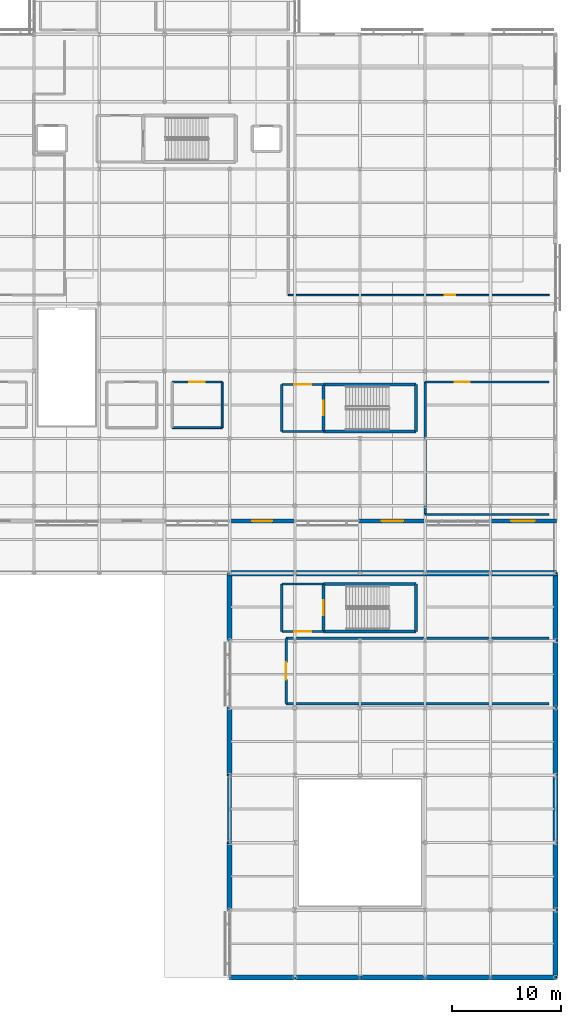
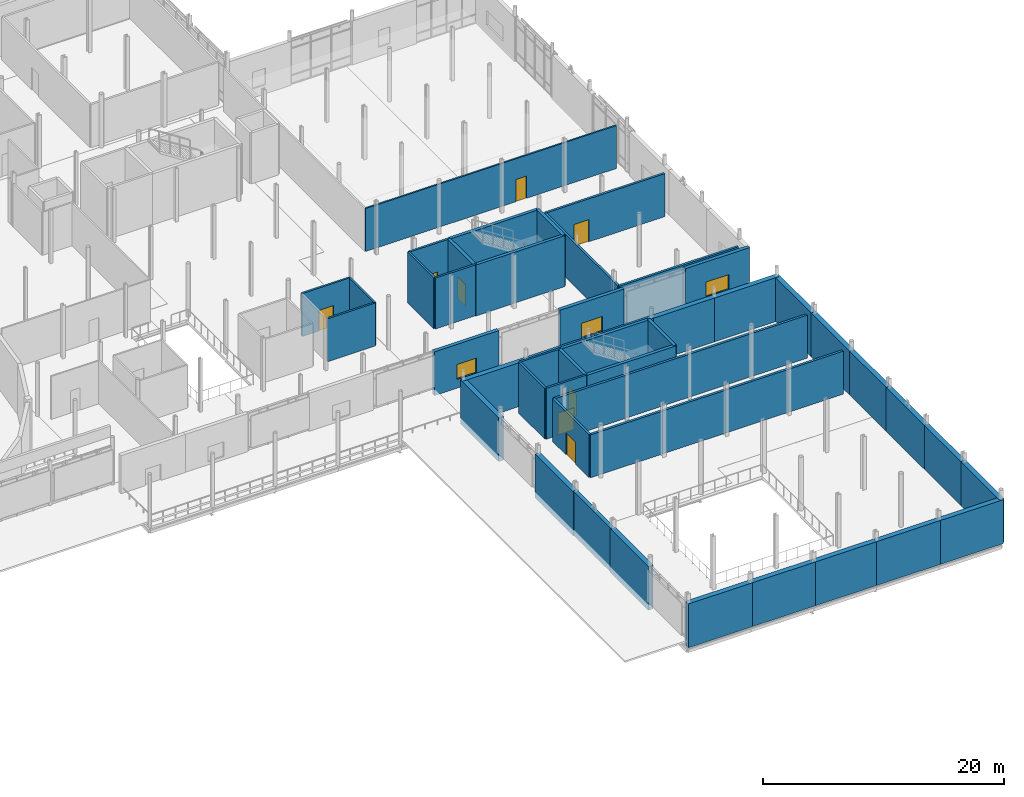
# One storey, part 71 of 105: 47 walls, 8 doors, 3 windows, 11 openings.
"""IFC4 building model written with IfcOpenShell, lengths in metres."""

from ifc_helpers import new_model, si_unit, direction, frame, frame_2d, origin, place, context, subcontext, project, spatial, rectangle, extrude, material, layer, layer_set, type_object, element, fill, save


model = new_model("IFC4")

# Units and contexts
model_context = context("Model", 3, precision=1e-05, world=origin(), true_north=direction((0.0, 1.0)))
body_context = subcontext(model_context, "Body", "Model", "MODEL_VIEW")
ifc_project = project(units=[si_unit("LENGTHUNIT", "METRE"), si_unit("AREAUNIT", "SQUARE_METRE"), si_unit("VOLUMEUNIT", "CUBIC_METRE"), si_unit("PLANEANGLEUNIT", "RADIAN"), si_unit("MASSUNIT", "GRAM", prefix="KILO")], contexts=[model_context])

# Site, building, storey
site_placement = place(None, origin())
site = spatial("IfcSite", under=ifc_project, at=site_placement, CompositionType="ELEMENT")
building_placement = place(site_placement, origin())
building = spatial("IfcBuilding", under=site, at=building_placement, Name="Mirzam Square Science Centre", CompositionType="ELEMENT")
storey_placement = place(building_placement, frame((0.0, 0.0, 5.39990234375)))
storey = spatial("IfcBuildingStorey", under=building, at=storey_placement, Name="L01", CompositionType="ELEMENT", Elevation=5.39990234375)

# Walls
ifc_material_1 = material(Name="Concrete C45/55", Category="concrete")
ifc_layer_1 = layer(ifc_material_1, 0.300048828125)
ifc_layer_set_1 = layer_set([ifc_layer_1], Name="W-CORE-300")
wall_type_1 = type_object("IfcWallType", Name="W-CORE-300", PredefinedType="SHEAR", material=ifc_layer_set_1)
for number, where, z_axis, x_axis, name in (
    (1, (140.639892578125, 50.239990234375, 0.0), (0.0, 0.0, 1.0), (1.0, 0.0, 0.0), "L01 CORE-5 south wall"),
    (2, (149.159912109375, 54.570068359375, 0.0), (0.0, 0.0, 1.0), (-1.0, 0.0, 0.0), "L01 CORE-5 north wall"),
):
    element("IfcWall", number, at=place(storey_placement, frame(where, z_axis=z_axis, x_axis=x_axis)), inside=storey, type_object=wall_type_1, Name=name, PredefinedType="SHEAR", context=body_context, shape_type="SweptSolid", body=[
        extrude(rectangle(XDim=8.52001953125, YDim=0.300048828125, at=frame_2d((4.260009765625, 0.0))), origin(), (0.0, 0.0, 1.0), 5.150146484375),
    ])

# Wall, opening, door
wall_1_placement = place(storey_placement, frame((140.639892578125, 54.570068359375, 0.0), z_axis=(0.0, 0.0, 1.0), x_axis=(0.0, -1.0, 0.0)))
wall_1 = element("IfcWall", 3, at=wall_1_placement, inside=storey, type_object=wall_type_1, Name="L01 CORE-5 west wall", PredefinedType="SHEAR", context=body_context, shape_type="SweptSolid", body=[
    extrude(rectangle(XDim=4.330078125, YDim=0.300048828125, at=frame_2d((2.1650390625, 0.0))), origin(), (0.0, 0.0, 1.0), 5.150146484375),
])
opening_1_placement = place(wall_1_placement, frame((1.489990234375, 0.0, 0.0)))
opening_1 = element("IfcOpeningElement", 4, at=opening_1_placement, cuts=wall_1, Name="Opening DS-01", PredefinedType="OPENING", context=body_context, shape_type="SweptSolid", body=[
    extrude(rectangle(XDim=1.35009765625, YDim=2.199951171875, at=frame_2d((0.675048828125, 1.10009765625))), frame((0.0, 0.159912109375, 0.0), z_axis=(0.0, -1.0, 0.0), x_axis=(1.0, 0.0, 0.0)), (0.0, 0.0, 1.0), 0.320068359375),
])
ifc_material_2 = material(Name="Fire-Rated Powder-Coated Architectural Steel Door", Category="steel")
door_type_1 = type_object("IfcDoorType", Name="DR-STAIR-1350x2200", OperationType="NOTDEFINED", PredefinedType="DOOR", material=ifc_material_2)
door_1_placement = place(opening_1_placement, origin())
door_1 = element("IfcDoor", 5, at=door_1_placement, inside=storey, type_object=door_type_1, Name="DRS-5-L01", OperationType="SINGLE_SWING_LEFT", OverallHeight=2.199951171875, OverallWidth=1.35009765625, PredefinedType="DOOR", context=body_context, shape_type="SweptSolid", body=[
    extrude(rectangle(XDim=1.35009765625, YDim=2.199951171875, at=frame_2d((0.675048828125, 1.10009765625))), frame((0.0, 0.02490234375, 0.0), z_axis=(0.0, -1.0, 0.0), x_axis=(1.0, 0.0, 0.0)), (0.0, 0.0, 1.0), 0.050048828125),
])
fill(opening_1, door_1)

# Walls
wall_2_placement = place(storey_placement, frame((149.159912109375, 50.239990234375, 0.0), z_axis=(0.0, 0.0, 1.0), x_axis=(0.0, 1.0, 0.0)))
element("IfcWall", 6, at=wall_2_placement, inside=storey, type_object=wall_type_1, Name="L01 CORE-5 east wall", PredefinedType="SHEAR", context=body_context, shape_type="SweptSolid", body=[
    extrude(rectangle(XDim=4.330078125, YDim=0.300048828125, at=frame_2d((2.1650390625, 0.0))), origin(), (0.0, 0.0, 1.0), 5.150146484375),
])
for number, where, z_axis, x_axis, name in (
    (7, (140.639892578125, 31.840087890625, 0.0), (0.0, 0.0, 1.0), (1.0, 0.0, 0.0), "L01 CORE-6 south wall"),
    (8, (149.159912109375, 36.2099609375, 0.0), (0.0, 0.0, 1.0), (-1.0, 0.0, 0.0), "L01 CORE-6 north wall"),
):
    element("IfcWall", number, at=place(storey_placement, frame(where, z_axis=z_axis, x_axis=x_axis)), inside=storey, type_object=wall_type_1, Name=name, PredefinedType="SHEAR", context=body_context, shape_type="SweptSolid", body=[
        extrude(rectangle(XDim=8.52001953125, YDim=0.300048828125, at=frame_2d((4.260009765625, 0.0))), origin(), (0.0, 0.0, 1.0), 5.150146484375),
    ])

# Wall, opening, door
wall_3_placement = place(storey_placement, frame((140.639892578125, 36.2099609375, 0.0), z_axis=(0.0, 0.0, 1.0), x_axis=(0.0, -1.0, 0.0)))
wall_3 = element("IfcWall", 9, at=wall_3_placement, inside=storey, type_object=wall_type_1, Name="L01 CORE-6 west wall", PredefinedType="SHEAR", context=body_context, shape_type="SweptSolid", body=[
    extrude(rectangle(XDim=4.369873046875, YDim=0.300048828125, at=frame_2d((2.18505859375, 0.0))), origin(), (0.0, 0.0, 1.0), 5.150146484375),
])
opening_2_placement = place(wall_3_placement, frame((1.510009765625, 0.0, 0.0)))
opening_2 = element("IfcOpeningElement", 10, at=opening_2_placement, cuts=wall_3, Name="Opening DS-01", PredefinedType="OPENING", context=body_context, shape_type="SweptSolid", body=[
    extrude(rectangle(XDim=1.35009765625, YDim=2.199951171875, at=frame_2d((0.675048828125, 1.10009765625))), frame((0.0, 0.159912109375, 0.0), z_axis=(0.0, -1.0, 0.0), x_axis=(1.0, 0.0, 0.0)), (0.0, 0.0, 1.0), 0.320068359375),
])
door_2_placement = place(opening_2_placement, origin())
door_2 = element("IfcDoor", 11, at=door_2_placement, inside=storey, type_object=door_type_1, Name="DRS-6-L01", OperationType="SINGLE_SWING_RIGHT", OverallHeight=2.199951171875, OverallWidth=1.35009765625, PredefinedType="DOOR", context=body_context, shape_type="SweptSolid", body=[
    extrude(rectangle(XDim=1.35009765625, YDim=2.199951171875, at=frame_2d((0.675048828125, 1.10009765625))), frame((0.0, 0.02490234375, 0.0), z_axis=(0.0, -1.0, 0.0), x_axis=(1.0, 0.0, 0.0)), (0.0, 0.0, 1.0), 0.050048828125),
])
fill(opening_2, door_2)

# Walls
wall_4_placement = place(storey_placement, frame((149.159912109375, 31.840087890625, 0.0), z_axis=(0.0, 0.0, 1.0), x_axis=(0.0, 1.0, 0.0)))
element("IfcWall", 12, at=wall_4_placement, inside=storey, type_object=wall_type_1, Name="L01 CORE-6 east wall", PredefinedType="SHEAR", context=body_context, shape_type="SweptSolid", body=[
    extrude(rectangle(XDim=4.369873046875, YDim=0.300048828125, at=frame_2d((2.18505859375, 0.0))), origin(), (0.0, 0.0, 1.0), 5.150146484375),
])
ifc_material_3 = material(Name="Acoustic Ashlar Limestone Concrete C45/55", Category="masonry")
ifc_layer_2 = layer(ifc_material_3, 0.465087890625)
ifc_layer_set_2 = layer_set([ifc_layer_2], Name="W-EXT-ACOUST-465")
wall_type_2 = type_object("IfcWallType", Name="W-EXT-ACOUST-465", PredefinedType="SOLIDWALL", material=ifc_layer_set_2)
wall_5_placement = place(storey_placement, frame((162.0, -0.074951171875, 0.0), z_axis=(0.0, 0.0, 1.0), x_axis=(0.0, 1.0, 0.0)))
element("IfcWall", 13, at=wall_5_placement, inside=storey, type_object=wall_type_2, Name="L01 external wall EW-TH-E-L01-01", PredefinedType="SOLIDWALL", context=body_context, shape_type="SweptSolid", body=[
    extrude(rectangle(XDim=6.349853515625, YDim=0.465087890625, at=frame_2d((3.1748046875, 0.0))), origin(), (0.0, 0.0, 1.0), 4.440185546875),
])
for number, where, z_axis, x_axis, name in (
    (14, (162.0, 6.125, 0.0), (0.0, 0.0, 1.0), (0.0, 1.0, 0.0), "L01 external wall EW-TH-E-L01-02"),
    (15, (162.0, 12.324951171875, 0.0), (0.0, 0.0, 1.0), (0.0, 1.0, 0.0), "L01 external wall EW-TH-E-L01-03"),
    (16, (162.0, 18.52490234375, 0.0), (0.0, 0.0, 1.0), (0.0, 1.0, 0.0), "L01 external wall EW-TH-E-L01-04"),
):
    element("IfcWall", number, at=place(storey_placement, frame(where, z_axis=z_axis, x_axis=x_axis)), inside=storey, type_object=wall_type_2, Name=name, PredefinedType="SOLIDWALL", context=body_context, shape_type="SweptSolid", body=[
        extrude(rectangle(XDim=6.35009765625, YDim=0.465087890625, at=frame_2d((3.175048828125, 0.0))), origin(), (0.0, 0.0, 1.0), 4.440185546875),
    ])
for number, where, z_axis, x_axis, name in (
    (17, (162.0, 24.72509765625, 0.0), (0.0, 0.0, 1.0), (0.0, 1.0, 0.0), "L01 external wall EW-TH-E-L01-05"),
    (18, (162.0, 30.925048828125, 0.0), (0.0, 0.0, 1.0), (0.0, 1.0, 0.0), "L01 external wall EW-TH-E-L01-06"),
):
    element("IfcWall", number, at=place(storey_placement, frame(where, z_axis=z_axis, x_axis=x_axis)), inside=storey, type_object=wall_type_2, Name=name, PredefinedType="SOLIDWALL", context=body_context, shape_type="SweptSolid", body=[
        extrude(rectangle(XDim=6.349853515625, YDim=0.465087890625, at=frame_2d((3.1748046875, 0.0))), origin(), (0.0, 0.0, 1.0), 4.440185546875),
    ])
for number, where, z_axis, x_axis, name in (
    (19, (132.0, 12.47509765625, 0.0), (0.0, 0.0, 1.0), (0.0, -1.0, 0.0), "L01 external wall EW-TH-W-L01-02"),
    (20, (132.0, 24.875, 0.0), (0.0, 0.0, 1.0), (0.0, -1.0, 0.0), "L01 external wall EW-TH-W-L01-04"),
):
    element("IfcWall", number, at=place(storey_placement, frame(where, z_axis=z_axis, x_axis=x_axis)), inside=storey, type_object=wall_type_2, Name=name, PredefinedType="SOLIDWALL", context=body_context, shape_type="SweptSolid", body=[
        extrude(rectangle(XDim=6.35009765625, YDim=0.465087890625, at=frame_2d((3.175048828125, 0.0))), origin(), (0.0, 0.0, 1.0), 4.440185546875),
    ])
wall_6_placement = place(storey_placement, frame((132.0, 37.27490234375, 0.0), z_axis=(0.0, 0.0, 1.0), x_axis=(0.0, -1.0, 0.0)))
element("IfcWall", 21, at=wall_6_placement, inside=storey, type_object=wall_type_2, Name="L01 external wall EW-TH-W-L01-06", PredefinedType="SOLIDWALL", context=body_context, shape_type="SweptSolid", body=[
    extrude(rectangle(XDim=6.349853515625, YDim=0.465087890625, at=frame_2d((3.1748046875, 0.0))), origin(), (0.0, 0.0, 1.0), 4.440185546875),
])
for number, where, z_axis, x_axis, name in (
    (22, (138.074951171875, 37.199951171875, 0.0), (0.0, 0.0, 1.0), (-1.0, 0.0, 0.0), "L01 external wall EW-TH-N-L01-23"),
    (23, (144.074951171875, 37.199951171875, 0.0), (0.0, 0.0, 1.0), (-1.0, 0.0, 0.0), "L01 external wall EW-TH-N-L01-24"),
    (24, (150.074951171875, 37.199951171875, 0.0), (0.0, 0.0, 1.0), (-1.0, 0.0, 0.0), "L01 external wall EW-TH-N-L01-25"),
    (25, (156.074951171875, 37.199951171875, 0.0), (0.0, 0.0, 1.0), (-1.0, 0.0, 0.0), "L01 external wall EW-TH-N-L01-26"),
    (26, (162.074951171875, 37.199951171875, 0.0), (0.0, 0.0, 1.0), (-1.0, 0.0, 0.0), "L01 external wall EW-TH-N-L01-27"),
):
    element("IfcWall", number, at=place(storey_placement, frame(where, z_axis=z_axis, x_axis=x_axis)), inside=storey, type_object=wall_type_2, Name=name, PredefinedType="SOLIDWALL", context=body_context, shape_type="SweptSolid", body=[
        extrude(rectangle(XDim=6.14990234375, YDim=0.465087890625, at=frame_2d((3.074951171875, 0.0))), origin(), (0.0, 0.0, 1.0), 4.440185546875),
    ])
ifc_layer_3 = layer(ifc_material_3, 0.47998046875)
ifc_layer_set_3 = layer_set([ifc_layer_3], Name="W-EXT-ACOUST-480")
wall_type_3 = type_object("IfcWallType", Name="W-EXT-ACOUST-480", PredefinedType="SOLIDWALL", material=ifc_layer_set_3)
for number, where, z_axis, x_axis, name in (
    (27, (131.925048828125, 0.0, 0.0), (0.0, 0.0, 1.0), (1.0, 0.0, 0.0), "L01 external wall EW-TH-S-L01-23"),
    (28, (137.925048828125, 0.0, 0.0), (0.0, 0.0, 1.0), (1.0, 0.0, 0.0), "L01 external wall EW-TH-S-L01-24"),
    (29, (143.925048828125, 0.0, 0.0), (0.0, 0.0, 1.0), (1.0, 0.0, 0.0), "L01 external wall EW-TH-S-L01-25"),
    (30, (149.925048828125, 0.0, 0.0), (0.0, 0.0, 1.0), (1.0, 0.0, 0.0), "L01 external wall EW-TH-S-L01-26"),
    (31, (155.925048828125, 0.0, 0.0), (0.0, 0.0, 1.0), (1.0, 0.0, 0.0), "L01 external wall EW-TH-S-L01-27"),
):
    element("IfcWall", number, at=place(storey_placement, frame(where, z_axis=z_axis, x_axis=x_axis)), inside=storey, type_object=wall_type_3, Name=name, PredefinedType="SOLIDWALL", context=body_context, shape_type="SweptSolid", body=[
        extrude(rectangle(XDim=6.14990234375, YDim=0.47998046875, at=frame_2d((3.074951171875, 0.0))), origin(), (0.0, 0.0, 1.0), 4.440185546875),
    ])

# Wall, opening, window
ifc_material_4 = material(Name="Insulated Sand-Toned GFRC Concrete C40/50", Category="concrete")
ifc_layer_4 = layer(ifc_material_4, 0.340087890625)
ifc_layer_set_4 = layer_set([ifc_layer_4], Name="W-EXT-GFRC-340")
wall_type_4 = type_object("IfcWallType", Name="W-EXT-GFRC-340", PredefinedType="SOLIDWALL", material=ifc_layer_set_4)
wall_7_placement = place(storey_placement, frame((131.925048828125, 42.0, 0.0), z_axis=(0.0, 0.0, 1.0), x_axis=(1.0, 0.0, 0.0)))
wall_7 = element("IfcWall", 32, at=wall_7_placement, inside=storey, type_object=wall_type_4, Name="L01 external wall EW-EST-S-L01-06", PredefinedType="SOLIDWALL", context=body_context, shape_type="SweptSolid", body=[
    extrude(rectangle(XDim=6.14990234375, YDim=0.340087890625, at=frame_2d((3.074951171875, 0.0))), origin(), (0.0, 0.0, 1.0), 4.440185546875),
])
opening_3_placement = place(wall_7_placement, frame((2.14990234375, 0.0, 0.89990234375)))
opening_3 = element("IfcOpeningElement", 33, at=opening_3_placement, cuts=wall_7, Name="Opening W-17", PredefinedType="OPENING", context=body_context, shape_type="SweptSolid", body=[
    extrude(rectangle(XDim=1.85009765625, YDim=1.5, at=frame_2d((0.925048828125, 0.75))), frame((0.0, 0.179931640625, 0.0), z_axis=(0.0, -1.0, 0.0), x_axis=(1.0, 0.0, 0.0)), (0.0, 0.0, 1.0), 0.360107421875),
])
ifc_material_5 = material(Name="Thermally Broken Bronze Aluminium and Low-E Glass", Category="aluminium")
window_type_1 = type_object("IfcWindowType", Name="WIN-1850x1500", PartitioningType="DOUBLE_PANEL_VERTICAL", PredefinedType="WINDOW", material=ifc_material_5)
window_1_placement = place(opening_3_placement, origin())
window_1 = element("IfcWindow", 34, at=window_1_placement, inside=storey, type_object=window_type_1, Name="L01 solar window 061", OverallHeight=1.5, OverallWidth=1.85009765625, PartitioningType="DOUBLE_PANEL_VERTICAL", PredefinedType="WINDOW", context=body_context, shape_type="SweptSolid", body=[
    extrude(rectangle(XDim=1.85009765625, YDim=1.5, at=frame_2d((0.925048828125, 0.75))), frame((0.0, 0.030029296875, 0.0), z_axis=(0.0, -1.0, 0.0), x_axis=(1.0, 0.0, 0.0)), (0.0, 0.0, 1.0), 0.06005859375),
])
fill(opening_3, window_1)

wall_8_placement = place(storey_placement, frame((143.925048828125, 42.0, 0.0), z_axis=(0.0, 0.0, 1.0), x_axis=(1.0, 0.0, 0.0)))
wall_8 = element("IfcWall", 35, at=wall_8_placement, inside=storey, type_object=wall_type_4, Name="L01 external wall EW-EST-S-L01-08", PredefinedType="SOLIDWALL", context=body_context, shape_type="SweptSolid", body=[
    extrude(rectangle(XDim=6.14990234375, YDim=0.340087890625, at=frame_2d((3.074951171875, 0.0))), origin(), (0.0, 0.0, 1.0), 4.440185546875),
])
opening_4_placement = place(wall_8_placement, frame((2.074951171875, 0.0, 0.89990234375)))
opening_4 = element("IfcOpeningElement", 36, at=opening_4_placement, cuts=wall_8, Name="Opening W-18", PredefinedType="OPENING", context=body_context, shape_type="SweptSolid", body=[
    extrude(rectangle(XDim=2.0, YDim=1.5, at=frame_2d((1.0, 0.75))), frame((0.0, 0.179931640625, 0.0), z_axis=(0.0, -1.0, 0.0), x_axis=(1.0, 0.0, 0.0)), (0.0, 0.0, 1.0), 0.360107421875),
])
window_type_2 = type_object("IfcWindowType", Name="WIN-2000x1500", PartitioningType="DOUBLE_PANEL_VERTICAL", PredefinedType="WINDOW", material=ifc_material_5)
window_2_placement = place(opening_4_placement, origin())
window_2 = element("IfcWindow", 37, at=window_2_placement, inside=storey, type_object=window_type_2, Name="L01 solar window 062", OverallHeight=1.5, OverallWidth=2.0, PartitioningType="DOUBLE_PANEL_VERTICAL", PredefinedType="WINDOW", context=body_context, shape_type="SweptSolid", body=[
    extrude(rectangle(XDim=2.0, YDim=1.5, at=frame_2d((1.0, 0.75))), frame((0.0, 0.030029296875, 0.0), z_axis=(0.0, -1.0, 0.0), x_axis=(1.0, 0.0, 0.0)), (0.0, 0.0, 1.0), 0.06005859375),
])
fill(opening_4, window_2)

wall_9_placement = place(storey_placement, frame((155.925048828125, 42.0, 0.0), z_axis=(0.0, 0.0, 1.0), x_axis=(1.0, 0.0, 0.0)))
wall_9 = element("IfcWall", 38, at=wall_9_placement, inside=storey, type_object=wall_type_4, Name="L01 external wall EW-EST-S-L01-10", PredefinedType="SOLIDWALL", context=body_context, shape_type="SweptSolid", body=[
    extrude(rectangle(XDim=6.14990234375, YDim=0.340087890625, at=frame_2d((3.074951171875, 0.0))), origin(), (0.0, 0.0, 1.0), 4.440185546875),
])
opening_5_placement = place(wall_9_placement, frame((1.97509765625, 0.0, 0.89990234375)))
opening_5 = element("IfcOpeningElement", 39, at=opening_5_placement, cuts=wall_9, Name="Opening W-19", PredefinedType="OPENING", context=body_context, shape_type="SweptSolid", body=[
    extrude(rectangle(XDim=2.199951171875, YDim=1.5, at=frame_2d((1.10009765625, 0.75))), frame((0.0, 0.179931640625, 0.0), z_axis=(0.0, -1.0, 0.0), x_axis=(1.0, 0.0, 0.0)), (0.0, 0.0, 1.0), 0.360107421875),
])
window_type_3 = type_object("IfcWindowType", Name="WIN-2200x1500", PartitioningType="DOUBLE_PANEL_VERTICAL", PredefinedType="WINDOW", material=ifc_material_5)
window_3_placement = place(opening_5_placement, origin())
window_3 = element("IfcWindow", 40, at=window_3_placement, inside=storey, type_object=window_type_3, Name="L01 solar window 063", OverallHeight=1.5, OverallWidth=2.199951171875, PartitioningType="DOUBLE_PANEL_VERTICAL", PredefinedType="WINDOW", context=body_context, shape_type="SweptSolid", body=[
    extrude(rectangle(XDim=2.199951171875, YDim=1.5, at=frame_2d((1.10009765625, 0.75))), frame((0.0, 0.030029296875, 0.0), z_axis=(0.0, -1.0, 0.0), x_axis=(1.0, 0.0, 0.0)), (0.0, 0.0, 1.0), 0.06005859375),
])
fill(opening_5, window_3)

# Walls
ifc_material_6 = material(Name="Standing-Seam Zinc-Clad Concrete Backup C40/50", Category="concrete")
ifc_layer_5 = layer(ifc_material_6, 0.35009765625)
ifc_layer_set_5 = layer_set([ifc_layer_5], Name="W-EXT-METAL-350")
wall_type_5 = type_object("IfcWallType", Name="W-EXT-METAL-350", PredefinedType="SOLIDWALL", material=ifc_layer_set_5)
wall_10_placement = place(storey_placement, frame((132.0, 18.675048828125, 0.0), z_axis=(0.0, 0.0, 1.0), x_axis=(0.0, -1.0, 0.0)))
element("IfcWall", 41, at=wall_10_placement, inside=storey, type_object=wall_type_5, Name="L01 external wall EW-TH-W-L01-03", PredefinedType="SOLIDWALL", context=body_context, shape_type="SweptSolid", body=[
    extrude(rectangle(XDim=6.35009765625, YDim=0.35009765625, at=frame_2d((3.175048828125, 0.0))), origin(), (0.0, 0.0, 1.0), 4.440185546875),
])
ifc_layer_6 = layer(ifc_material_1, 0.199951171875)
ifc_layer_set_6 = layer_set([ifc_layer_6], Name="W-LOBBY-200")
wall_type_6 = type_object("IfcWallType", Name="W-LOBBY-200", PredefinedType="SHEAR", material=ifc_layer_set_6)
wall_11_placement = place(storey_placement, frame((136.800048828125, 50.239990234375, 0.0), z_axis=(0.0, 0.0, 1.0), x_axis=(1.0, 0.0, 0.0)))
element("IfcWall", 42, at=wall_11_placement, inside=storey, type_object=wall_type_6, Name="L01 CORE-5 lobby south wall", PredefinedType="SHEAR", context=body_context, shape_type="SweptSolid", body=[
    extrude(rectangle(XDim=3.83984375, YDim=0.199951171875, at=frame_2d((1.919921875, 0.0))), origin(), (0.0, 0.0, 1.0), 5.150146484375),
])

# Wall, opening, door
wall_12_placement = place(storey_placement, frame((140.639892578125, 54.570068359375, 0.0), z_axis=(0.0, 0.0, 1.0), x_axis=(-1.0, 0.0, 0.0)))
wall_12 = element("IfcWall", 43, at=wall_12_placement, inside=storey, type_object=wall_type_6, Name="L01 CORE-5 lobby north wall", PredefinedType="SHEAR", context=body_context, shape_type="SweptSolid", body=[
    extrude(rectangle(XDim=3.83984375, YDim=0.199951171875, at=frame_2d((1.919921875, 0.0))), origin(), (0.0, 0.0, 1.0), 5.150146484375),
])
opening_6_placement = place(wall_12_placement, frame((1.14501953125, 0.0, 0.0)))
opening_6 = element("IfcOpeningElement", 44, at=opening_6_placement, cuts=wall_12, Name="Opening DL-01", PredefinedType="OPENING", context=body_context, shape_type="SweptSolid", body=[
    extrude(rectangle(XDim=1.550048828125, YDim=2.199951171875, at=frame_2d((0.77490234375, 1.10009765625))), frame((0.0, 0.10986328125, 0.0), z_axis=(0.0, -1.0, 0.0), x_axis=(1.0, 0.0, 0.0)), (0.0, 0.0, 1.0), 0.219970703125),
])
ifc_material_7 = material(Name="Fire-Rated Glazed Architectural Steel Lobby Door", Category="steel")
door_type_2 = type_object("IfcDoorType", Name="DR-LOBBY-1550x2200", OperationType="DOUBLE_DOOR_SINGLE_SWING", PredefinedType="DOOR", material=ifc_material_7)
door_3_placement = place(opening_6_placement, origin())
door_3 = element("IfcDoor", 45, at=door_3_placement, inside=storey, type_object=door_type_2, Name="DRL-5-L01", OperationType="SINGLE_SWING_LEFT", OverallHeight=2.199951171875, OverallWidth=1.550048828125, PredefinedType="DOOR", context=body_context, shape_type="SweptSolid", body=[
    extrude(rectangle(XDim=1.550048828125, YDim=2.199951171875, at=frame_2d((0.77490234375, 1.10009765625))), frame((0.0, 0.02490234375, 0.0), z_axis=(0.0, -1.0, 0.0), x_axis=(1.0, 0.0, 0.0)), (0.0, 0.0, 1.0), 0.050048828125),
])
fill(opening_6, door_3)

# Wall
wall_13_placement = place(storey_placement, frame((136.800048828125, 54.570068359375, 0.0), z_axis=(0.0, 0.0, 1.0), x_axis=(0.0, -1.0, 0.0)))
element("IfcWall", 46, at=wall_13_placement, inside=storey, type_object=wall_type_6, Name="L01 CORE-5 lobby west wall", PredefinedType="SHEAR", context=body_context, shape_type="SweptSolid", body=[
    extrude(rectangle(XDim=4.330078125, YDim=0.199951171875, at=frame_2d((2.1650390625, 0.0))), origin(), (0.0, 0.0, 1.0), 5.150146484375),
])

# Wall, opening, door
wall_14_placement = place(storey_placement, frame((136.800048828125, 31.840087890625, 0.0), z_axis=(0.0, 0.0, 1.0), x_axis=(1.0, 0.0, 0.0)))
wall_14 = element("IfcWall", 47, at=wall_14_placement, inside=storey, type_object=wall_type_6, Name="L01 CORE-6 lobby south wall", PredefinedType="SHEAR", context=body_context, shape_type="SweptSolid", body=[
    extrude(rectangle(XDim=3.83984375, YDim=0.199951171875, at=frame_2d((1.919921875, 0.0))), origin(), (0.0, 0.0, 1.0), 5.150146484375),
])
opening_7_placement = place(wall_14_placement, frame((1.14501953125, 0.0, 0.0)))
opening_7 = element("IfcOpeningElement", 48, at=opening_7_placement, cuts=wall_14, Name="Opening DL-01", PredefinedType="OPENING", context=body_context, shape_type="SweptSolid", body=[
    extrude(rectangle(XDim=1.550048828125, YDim=2.199951171875, at=frame_2d((0.77490234375, 1.10009765625))), frame((0.0, 0.10986328125, 0.0), z_axis=(0.0, -1.0, 0.0), x_axis=(1.0, 0.0, 0.0)), (0.0, 0.0, 1.0), 0.219970703125),
])
door_4_placement = place(opening_7_placement, origin())
door_4 = element("IfcDoor", 49, at=door_4_placement, inside=storey, type_object=door_type_2, Name="DRL-6-L01", OperationType="SINGLE_SWING_LEFT", OverallHeight=2.199951171875, OverallWidth=1.550048828125, PredefinedType="DOOR", context=body_context, shape_type="SweptSolid", body=[
    extrude(rectangle(XDim=1.550048828125, YDim=2.199951171875, at=frame_2d((0.77490234375, 1.10009765625))), frame((0.0, 0.02490234375, 0.0), z_axis=(0.0, -1.0, 0.0), x_axis=(1.0, 0.0, 0.0)), (0.0, 0.0, 1.0), 0.050048828125),
])
fill(opening_7, door_4)

# Walls
wall_15_placement = place(storey_placement, frame((140.639892578125, 36.2099609375, 0.0), z_axis=(0.0, 0.0, 1.0), x_axis=(-1.0, 0.0, 0.0)))
element("IfcWall", 50, at=wall_15_placement, inside=storey, type_object=wall_type_6, Name="L01 CORE-6 lobby north wall", PredefinedType="SHEAR", context=body_context, shape_type="SweptSolid", body=[
    extrude(rectangle(XDim=3.83984375, YDim=0.199951171875, at=frame_2d((1.919921875, 0.0))), origin(), (0.0, 0.0, 1.0), 5.150146484375),
])
wall_16_placement = place(storey_placement, frame((136.800048828125, 36.2099609375, 0.0), z_axis=(0.0, 0.0, 1.0), x_axis=(0.0, -1.0, 0.0)))
element("IfcWall", 51, at=wall_16_placement, inside=storey, type_object=wall_type_6, Name="L01 CORE-6 lobby west wall", PredefinedType="SHEAR", context=body_context, shape_type="SweptSolid", body=[
    extrude(rectangle(XDim=4.369873046875, YDim=0.199951171875, at=frame_2d((2.18505859375, 0.0))), origin(), (0.0, 0.0, 1.0), 5.150146484375),
])

# Wall, opening, door
ifc_material_8 = material(Name="Laboratory Acoustic Partition", Category="gypsum")
ifc_layer_7 = layer(ifc_material_8, 0.14990234375)
ifc_layer_set_7 = layer_set([ifc_layer_7], Name="W-PART-150")
wall_type_7 = type_object("IfcWallType", Name="W-PART-150", PredefinedType="PARTITIONING", material=ifc_layer_set_7)
wall_17_placement = place(storey_placement, frame((161.39990234375, 62.800048828125, 0.0), z_axis=(0.0, 0.0, 1.0), x_axis=(-1.0, 0.0, 0.0)))
wall_17 = element("IfcWall", 52, at=wall_17_placement, inside=storey, type_object=wall_type_7, Name="L01 Junior Physics Dry Laboratory 1 partition 142", PredefinedType="PARTITIONING", context=body_context, shape_type="SweptSolid", body=[
    extrude(rectangle(XDim=24.0, YDim=0.14990234375, at=frame_2d((12.0, 0.0))), origin(), (0.0, 0.0, 1.0), 4.35009765625),
])
opening_8_placement = place(wall_17_placement, frame((8.6201171875, 0.0, 0.0)))
opening_8 = element("IfcOpeningElement", 53, at=opening_8_placement, cuts=wall_17, Name="Opening D-15", PredefinedType="OPENING", context=body_context, shape_type="SweptSolid", body=[
    extrude(rectangle(XDim=1.0, YDim=2.25, at=frame_2d((0.5, 1.125))), frame((0.0, 0.0849609375, 0.0), z_axis=(0.0, -1.0, 0.0), x_axis=(1.0, 0.0, 0.0)), (0.0, 0.0, 1.0), 0.169921875),
])
ifc_material_9 = material(Name="Solid Core Acoustic Oak Timber Door", Category="wood")
door_type_3 = type_object("IfcDoorType", Name="DR-INT-1000x2250", OperationType="NOTDEFINED", PredefinedType="DOOR", material=ifc_material_9)
door_5_placement = place(opening_8_placement, origin())
door_5 = element("IfcDoor", 54, at=door_5_placement, inside=storey, type_object=door_type_3, Name="ID-L01-0038", OperationType="SINGLE_SWING_LEFT", OverallHeight=2.25, OverallWidth=1.0, PredefinedType="DOOR", context=body_context, shape_type="SweptSolid", body=[
    extrude(rectangle(XDim=1.0, YDim=2.25, at=frame_2d((0.5, 1.125))), frame((0.0, 0.02490234375, 0.0), z_axis=(0.0, -1.0, 0.0), x_axis=(1.0, 0.0, 0.0)), (0.0, 0.0, 1.0), 0.050048828125),
])
fill(opening_8, door_5)

ifc_material_10 = material(Name="Workshop Acoustic Masonry Partition", Category="masonry")
ifc_layer_8 = layer(ifc_material_10, 0.179931640625)
ifc_layer_set_8 = layer_set([ifc_layer_8], Name="W-PART-180")
wall_type_8 = type_object("IfcWallType", Name="W-PART-180", PredefinedType="PARTITIONING", material=ifc_layer_set_8)
wall_18_placement = place(storey_placement, frame((126.699951171875, 54.800048828125, 0.0), z_axis=(0.0, 0.0, 1.0), x_axis=(1.0, 0.0, 0.0)))
wall_18 = element("IfcWall", 55, at=wall_18_placement, inside=storey, type_object=wall_type_8, Name="L01 Accessible WC L01 partition 110", PredefinedType="PARTITIONING", context=body_context, shape_type="SweptSolid", body=[
    extrude(rectangle(XDim=4.60009765625, YDim=0.179931640625, at=frame_2d((2.300048828125, 0.0))), origin(), (0.0, 0.0, 1.0), 4.35009765625),
])
opening_9_placement = place(wall_18_placement, frame((1.60009765625, 0.0, 0.0)))
opening_9 = element("IfcOpeningElement", 56, at=opening_9_placement, cuts=wall_18, Name="Opening D-07", PredefinedType="OPENING", context=body_context, shape_type="SweptSolid", body=[
    extrude(rectangle(XDim=1.39990234375, YDim=2.10009765625, at=frame_2d((0.699951171875, 1.050048828125))), frame((0.0, 0.099853515625, 0.0), z_axis=(0.0, -1.0, 0.0), x_axis=(1.0, 0.0, 0.0)), (0.0, 0.0, 1.0), 0.199951171875),
])
door_type_4 = type_object("IfcDoorType", Name="DR-INT-1400x2100", OperationType="NOTDEFINED", PredefinedType="DOOR", material=ifc_material_9)
door_6_placement = place(opening_9_placement, origin())
door_6 = element("IfcDoor", 57, at=door_6_placement, inside=storey, type_object=door_type_4, Name="ID-L01-0030", OperationType="SINGLE_SWING_LEFT", OverallHeight=2.10009765625, OverallWidth=1.39990234375, PredefinedType="DOOR", context=body_context, shape_type="SweptSolid", body=[
    extrude(rectangle(XDim=1.39990234375, YDim=2.10009765625, at=frame_2d((0.699951171875, 1.050048828125))), frame((0.0, 0.02490234375, 0.0), z_axis=(0.0, -1.0, 0.0), x_axis=(1.0, 0.0, 0.0)), (0.0, 0.0, 1.0), 0.050048828125),
])
fill(opening_9, door_6)

# Walls
wall_19_placement = place(storey_placement, frame((131.300048828125, 54.800048828125, 0.0), z_axis=(0.0, 0.0, 1.0), x_axis=(0.0, -1.0, 0.0)))
element("IfcWall", 58, at=wall_19_placement, inside=storey, type_object=wall_type_8, Name="L01 Accessible WC L01 partition 111", PredefinedType="PARTITIONING", context=body_context, shape_type="SweptSolid", body=[
    extrude(rectangle(XDim=4.199951171875, YDim=0.179931640625, at=frame_2d((2.10009765625, 0.0))), origin(), (0.0, 0.0, 1.0), 4.35009765625),
])
wall_20_placement = place(storey_placement, frame((131.300048828125, 50.60009765625, 0.0), z_axis=(0.0, 0.0, 1.0), x_axis=(-1.0, 0.0, 0.0)))
element("IfcWall", 59, at=wall_20_placement, inside=storey, type_object=wall_type_8, Name="L01 Accessible WC L01 partition 112", PredefinedType="PARTITIONING", context=body_context, shape_type="SweptSolid", body=[
    extrude(rectangle(XDim=4.60009765625, YDim=0.179931640625, at=frame_2d((2.300048828125, 0.0))), origin(), (0.0, 0.0, 1.0), 4.35009765625),
])

# Wall, opening, door
ifc_material_11 = material(Name="Chemical Prep Fire Partition Concrete C30/37", Category="concrete")
ifc_layer_9 = layer(ifc_material_11, 0.215087890625)
ifc_layer_set_9 = layer_set([ifc_layer_9], Name="W-PART-215")
wall_type_9 = type_object("IfcWallType", Name="W-PART-215", PredefinedType="PARTITIONING", material=ifc_layer_set_9)
wall_21_placement = place(storey_placement, frame((150.0, 54.800048828125, 0.0), z_axis=(0.0, 0.0, 1.0), x_axis=(1.0, 0.0, 0.0)))
wall_21 = element("IfcWall", 60, at=wall_21_placement, inside=storey, type_object=wall_type_9, Name="L01 Science Reading Lounge and Cafe Mezzanine partition 154", PredefinedType="PARTITIONING", context=body_context, shape_type="SweptSolid", body=[
    extrude(rectangle(XDim=11.39990234375, YDim=0.215087890625, at=frame_2d((5.699951171875, 0.0))), origin(), (0.0, 0.0, 1.0), 4.35009765625),
])
opening_10_placement = place(wall_21_placement, frame((2.719970703125, 0.0, 0.0)))
opening_10 = element("IfcOpeningElement", 61, at=opening_10_placement, cuts=wall_21, Name="Opening D-19", PredefinedType="OPENING", context=body_context, shape_type="SweptSolid", body=[
    extrude(rectangle(XDim=1.39990234375, YDim=2.25, at=frame_2d((0.699951171875, 1.125))), frame((0.0, 0.117431640625, 0.0), z_axis=(0.0, -1.0, 0.0), x_axis=(1.0, 0.0, 0.0)), (0.0, 0.0, 1.0), 0.235107421875),
])
door_type_5 = type_object("IfcDoorType", Name="DR-INT-1400x2250", OperationType="NOTDEFINED", PredefinedType="DOOR", material=ifc_material_9)
door_7_placement = place(opening_10_placement, origin())
door_7 = element("IfcDoor", 62, at=door_7_placement, inside=storey, type_object=door_type_5, Name="ID-L01-0042", OperationType="SINGLE_SWING_LEFT", OverallHeight=2.25, OverallWidth=1.39990234375, PredefinedType="DOOR", context=body_context, shape_type="SweptSolid", body=[
    extrude(rectangle(XDim=1.39990234375, YDim=2.25, at=frame_2d((0.699951171875, 1.125))), frame((0.0, 0.02490234375, 0.0), z_axis=(0.0, -1.0, 0.0), x_axis=(1.0, 0.0, 0.0)), (0.0, 0.0, 1.0), 0.050048828125),
])
fill(opening_10, door_7)

# Walls
wall_22_placement = place(storey_placement, frame((161.39990234375, 42.60009765625, 0.0), z_axis=(0.0, 0.0, 1.0), x_axis=(-1.0, 0.0, 0.0)))
element("IfcWall", 63, at=wall_22_placement, inside=storey, type_object=wall_type_9, Name="L01 Science Reading Lounge and Cafe Mezzanine partition 155", PredefinedType="PARTITIONING", context=body_context, shape_type="SweptSolid", body=[
    extrude(rectangle(XDim=11.39990234375, YDim=0.215087890625, at=frame_2d((5.699951171875, 0.0))), origin(), (0.0, 0.0, 1.0), 4.35009765625),
])
wall_23_placement = place(storey_placement, frame((150.0, 42.60009765625, 0.0), z_axis=(0.0, 0.0, 1.0), x_axis=(0.0, 1.0, 0.0)))
element("IfcWall", 64, at=wall_23_placement, inside=storey, type_object=wall_type_9, Name="L01 Science Reading Lounge and Cafe Mezzanine partition 156", PredefinedType="PARTITIONING", context=body_context, shape_type="SweptSolid", body=[
    extrude(rectangle(XDim=12.199951171875, YDim=0.215087890625, at=frame_2d((6.10009765625, 0.0))), origin(), (0.0, 0.0, 1.0), 4.35009765625),
])
ifc_material_12 = material(Name="Gallery Display Backing Wall Concrete C30/37", Category="concrete")
ifc_layer_10 = layer(ifc_material_12, 0.22998046875)
ifc_layer_set_10 = layer_set([ifc_layer_10], Name="W-PART-230")
wall_type_10 = type_object("IfcWallType", Name="W-PART-230", PredefinedType="PARTITIONING", material=ifc_layer_set_10)
for number, where, z_axis, x_axis, name in (
    (65, (137.199951171875, 31.199951171875, 0.0), (0.0, 0.0, 1.0), (1.0, 0.0, 0.0), "L01 Large-Format Theatre Upper Balcony and Projection Booth partition 157"),
    (66, (161.39990234375, 25.199951171875, 0.0), (0.0, 0.0, 1.0), (-1.0, 0.0, 0.0), "L01 Large-Format Theatre Upper Balcony and Projection Booth partition 158"),
):
    element("IfcWall", number, at=place(storey_placement, frame(where, z_axis=z_axis, x_axis=x_axis)), inside=storey, type_object=wall_type_10, Name=name, PredefinedType="PARTITIONING", context=body_context, shape_type="SweptSolid", body=[
        extrude(rectangle(XDim=24.199951171875, YDim=0.22998046875, at=frame_2d((12.10009765625, 0.0))), origin(), (0.0, 0.0, 1.0), 4.35009765625),
    ])

# Wall, opening, door
wall_24_placement = place(storey_placement, frame((137.199951171875, 25.199951171875, 0.0), z_axis=(0.0, 0.0, 1.0), x_axis=(0.0, 1.0, 0.0)))
wall_24 = element("IfcWall", 67, at=wall_24_placement, inside=storey, type_object=wall_type_10, Name="L01 Large-Format Theatre Upper Balcony and Projection Booth partition 159", PredefinedType="PARTITIONING", context=body_context, shape_type="SweptSolid", body=[
    extrude(rectangle(XDim=6.0, YDim=0.22998046875, at=frame_2d((3.0, 0.0))), origin(), (0.0, 0.0, 1.0), 4.35009765625),
])
opening_11_placement = place(wall_24_placement, frame((2.199951171875, 0.0, 0.0)))
opening_11 = element("IfcOpeningElement", 68, at=opening_11_placement, cuts=wall_24, Name="Opening D-20", PredefinedType="OPENING", context=body_context, shape_type="SweptSolid", body=[
    extrude(rectangle(XDim=1.60009765625, YDim=2.25, at=frame_2d((0.800048828125, 1.125))), frame((0.0, 0.125, 0.0), z_axis=(0.0, -1.0, 0.0), x_axis=(1.0, 0.0, 0.0)), (0.0, 0.0, 1.0), 0.25),
])
door_type_6 = type_object("IfcDoorType", Name="DR-INT-1600x2250", OperationType="DOUBLE_DOOR_SINGLE_SWING", PredefinedType="DOOR", material=ifc_material_9)
door_8_placement = place(opening_11_placement, origin())
door_8 = element("IfcDoor", 69, at=door_8_placement, inside=storey, type_object=door_type_6, Name="ID-L01-0043", OperationType="DOUBLE_DOOR_SINGLE_SWING", OverallHeight=2.25, OverallWidth=1.60009765625, PredefinedType="DOOR", context=body_context, shape_type="SweptSolid", body=[
    extrude(rectangle(XDim=1.60009765625, YDim=2.25, at=frame_2d((0.800048828125, 1.125))), frame((0.0, 0.02490234375, 0.0), z_axis=(0.0, -1.0, 0.0), x_axis=(1.0, 0.0, 0.0)), (0.0, 0.0, 1.0), 0.050048828125),
])
fill(opening_11, door_8)

save(model, "model.ifc")
